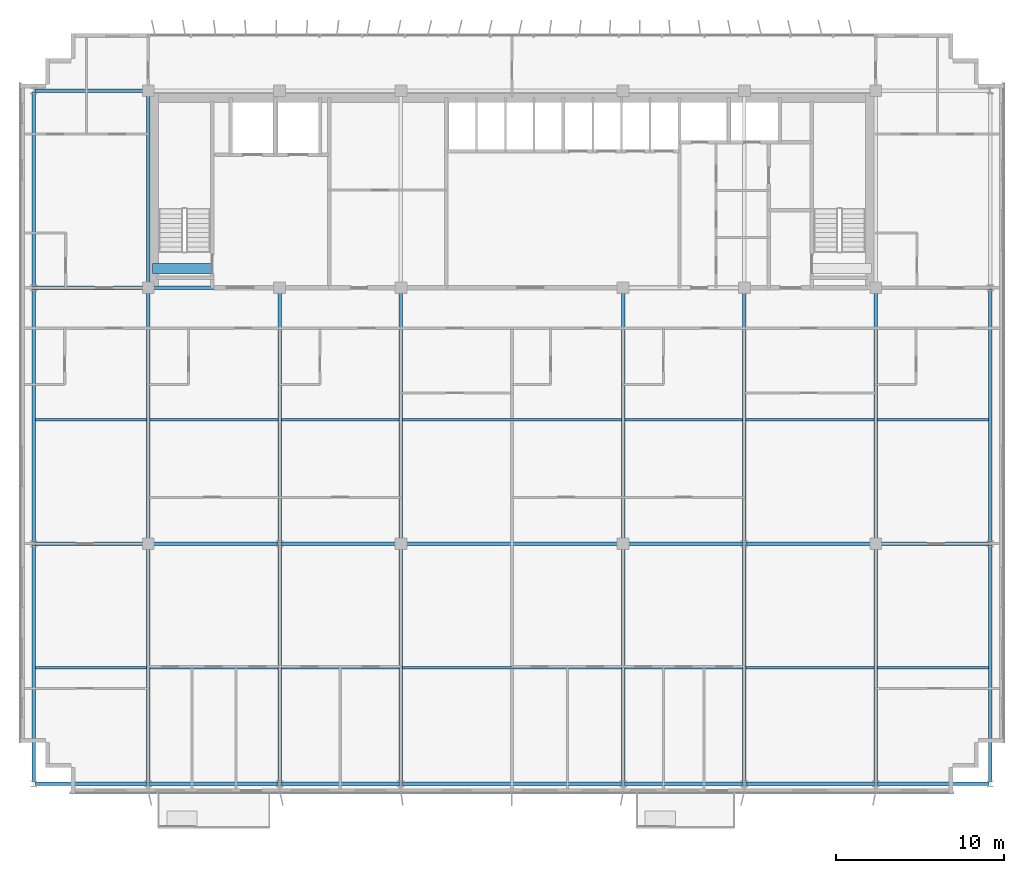
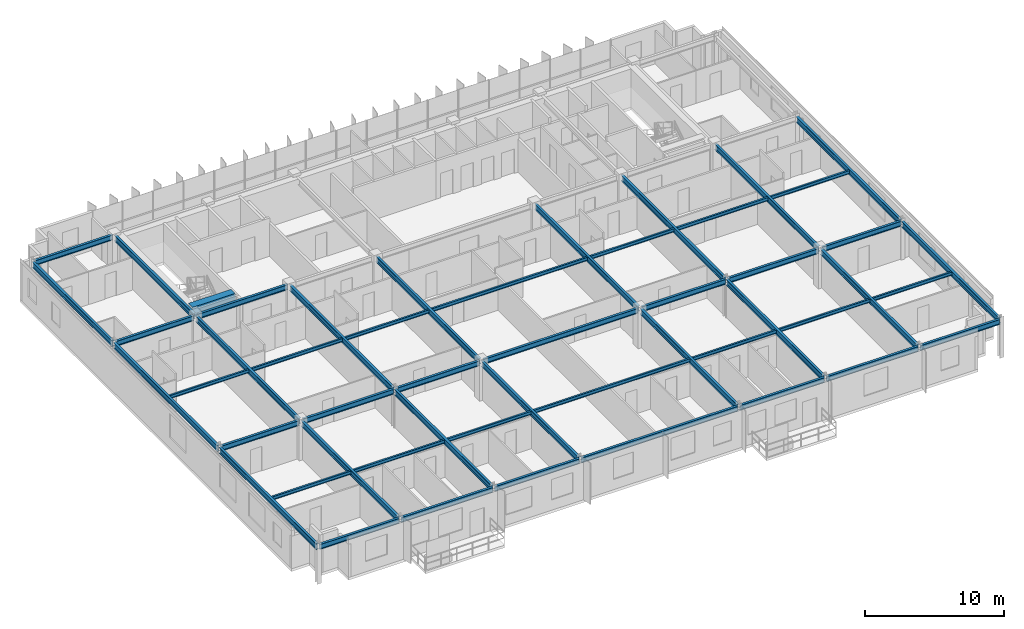
# One storey, part 5 of 23: 50 beams.
"""IFC4 building model written with IfcOpenShell, lengths in metres."""

import ifcopenshell
import ifcopenshell.guid

model = None  # the IFC model being written
_history = None  # IfcOwnerHistory: only IFC2X3 demands one
_inside = {}  # id of a spatial element -> (the spatial element, [elements in it])
_under = {}  # id of a project, library or spatial element -> (it, [spatial elements below it])
_declared = {}  # id of a project -> (the project, [libraries it declares])
_typed = {}  # id of a type object -> (the type object, [elements of that type])
_made_of = {}  # id of a material, layer set ... -> (it, [elements and type objects made of it])


def new_model(schema):
    """Start an empty IFC model of exactly this schema.

    Asked for "IFC4X3", IfcOpenShell would pick the latest addendum, in which some entities
    have other attributes; the version numbers below select the first issue.
    IFC2X3 requires an IfcOwnerHistory on every rooted entity: one is made here for all.
    """
    global model, _history
    if schema == "IFC4X3":
        model = ifcopenshell.file(schema_version=(4, 3, 0, 0))
    else:
        model = ifcopenshell.file(schema=schema)
    _inside.clear()
    _under.clear()
    _declared.clear()
    _typed.clear()
    _made_of.clear()
    _history = None
    if model.schema == "IFC2X3":
        org = make("IfcOrganization", Name="unknown")
        user = make(
            "IfcPersonAndOrganization",
            ThePerson=make("IfcPerson", FamilyName="unknown"),
            TheOrganization=org,
        )
        app = make(
            "IfcApplication",
            ApplicationDeveloper=org,
            Version="unknown",
            ApplicationFullName="unknown",
            ApplicationIdentifier="unknown",
        )
        _history = make(
            "IfcOwnerHistory",
            OwningUser=user,
            OwningApplication=app,
            ChangeAction="ADDED",
            CreationDate=0,
        )
    return model


def make(cls, **values):
    """One entity of the class cls with the attributes given. An attribute that is None is left unset."""
    return model.create_entity(
        cls, **{name: value for name, value in values.items() if value is not None}
    )


def rooted(cls, **values):
    """An entity with a GlobalId (a new one), such as an element, a storey or a relation."""
    return make(cls, GlobalId=ifcopenshell.guid.new(), OwnerHistory=_history, **values)


def si_unit(unit_type, name, prefix=None):
    """IfcSIUnit, for example si_unit("LENGTHUNIT", "METRE", prefix="MILLI")."""
    return make("IfcSIUnit", UnitType=unit_type, Prefix=prefix, Name=name)


def assignment(units):
    """IfcUnitAssignment: the units of a project."""
    return None if units is None else make("IfcUnitAssignment", Units=units)


def point(xyz):
    """IfcCartesianPoint."""
    return None if xyz is None else make("IfcCartesianPoint", Coordinates=xyz)


def direction(xyz):
    """IfcDirection."""
    return None if xyz is None else make("IfcDirection", DirectionRatios=xyz)


def frame(location, z_axis=None, x_axis=None):
    """IfcAxis2Placement3D, a coordinate frame: its origin and axes. An axis left out is left unset."""
    return make(
        "IfcAxis2Placement3D",
        Location=point(location),
        Axis=direction(z_axis),
        RefDirection=direction(x_axis),
    )


def frame_2d(location, x_axis=None):
    """IfcAxis2Placement2D, a coordinate frame in the plane: its origin and x axis."""
    return make(
        "IfcAxis2Placement2D", Location=point(location), RefDirection=direction(x_axis)
    )


def origin():
    """The frame at (0, 0, 0) with its axes left unset."""
    return frame((0.0, 0.0, 0.0))


def origin_2d():
    """The frame at (0, 0) in the plane with its x axis left unset."""
    return frame_2d((0.0, 0.0))


def place(relative_to, where):
    """IfcLocalPlacement: puts the frame where relative to a parent placement (None: the world)."""
    return make(
        "IfcLocalPlacement", PlacementRelTo=relative_to, RelativePlacement=where
    )


def context(
    kind, dimensions, precision=None, world=None, true_north=None, identifier=None
):
    """IfcGeometricRepresentationContext, for example the 3D "Model" context."""
    return make(
        "IfcGeometricRepresentationContext",
        ContextIdentifier=identifier,
        ContextType=kind,
        CoordinateSpaceDimension=dimensions,
        Precision=precision,
        WorldCoordinateSystem=world,
        TrueNorth=true_north,
    )


def subcontext(parent, identifier, kind, view, scale=None):
    """IfcGeometricRepresentationSubContext, for example "Body" below "Model"."""
    return make(
        "IfcGeometricRepresentationSubContext",
        ContextIdentifier=identifier,
        ContextType=kind,
        ParentContext=parent,
        TargetScale=scale,
        TargetView=view,
    )


def project(units=None, contexts=None):
    """IfcProject with its units and contexts."""
    return rooted(
        "IfcProject",
        Name="project",
        RepresentationContexts=contexts,
        UnitsInContext=assignment(units),
    )


def spatial(cls, under=None, at=None, **own):
    """A site, building, storey or space (cls), placed at a placement, below another one or the project."""
    s = rooted(cls, ObjectPlacement=at, **own)
    if under is not None:
        _under.setdefault(under.id(), (under, []))[1].append(s)
    return s


def profile(cls, at=None, kind="AREA", **sizes):
    """A parametric profile (cls). Its sizes go by their IFC names, for example OverallWidth=200.0."""
    return make(cls, ProfileType=kind, Position=at, **sizes)


def rectangle(**sizes):
    """IfcRectangleProfileDef."""
    return profile("IfcRectangleProfileDef", **sizes)


def i_section(**sizes):
    """IfcIShapeProfileDef."""
    return profile("IfcIShapeProfileDef", **sizes)


def extrude(swept, where, along, depth):
    """IfcExtrudedAreaSolid: the profile swept, set in the frame where, extruded along a direction by depth."""
    return make(
        "IfcExtrudedAreaSolid",
        SweptArea=swept,
        Position=where,
        ExtrudedDirection=direction(along),
        Depth=depth,
    )


def shape(context_of_items, identifier, shape_type, items):
    """IfcShapeRepresentation: the items that make up one representation, for example the "Body"."""
    return make(
        "IfcShapeRepresentation",
        ContextOfItems=context_of_items,
        RepresentationIdentifier=identifier,
        RepresentationType=shape_type,
        Items=items,
    )


def source(mapping_origin, context_of_items, identifier, shape_type, items):
    """IfcRepresentationMap: a shape defined once, which mapped items show again and again."""
    return make(
        "IfcRepresentationMap",
        MappingOrigin=mapping_origin,
        MappedRepresentation=shape(context_of_items, identifier, shape_type, items),
    )


def transform(
    local_origin,
    x_axis=None,
    y_axis=None,
    z_axis=None,
    scale=None,
    scale2=None,
    scale3=None,
    uniform=True,
):
    """IfcCartesianTransformationOperator3D, or its non-uniform kind. x_axis, y_axis, z_axis: its Axis1, 2, 3."""
    if uniform:
        return make(
            "IfcCartesianTransformationOperator3D",
            Axis1=direction(x_axis),
            Axis2=direction(y_axis),
            LocalOrigin=point(local_origin),
            Scale=scale,
            Axis3=direction(z_axis),
        )
    return make(
        "IfcCartesianTransformationOperator3DnonUniform",
        Axis1=direction(x_axis),
        Axis2=direction(y_axis),
        LocalOrigin=point(local_origin),
        Scale=scale,
        Axis3=direction(z_axis),
        Scale2=scale2,
        Scale3=scale3,
    )


def mapped(mapping_source, mapping_target):
    """IfcMappedItem: shows the shape of a source again, moved by a transform."""
    return make(
        "IfcMappedItem", MappingSource=mapping_source, MappingTarget=mapping_target
    )


def material(Name=None, Category=None):
    """IfcMaterial."""
    return make("IfcMaterial", Name=Name, Category=Category)


def material_profile(
    of_material, cross_section, Name=None, Category=None, Priority=None
):
    """IfcMaterialProfile: a cross section and its material."""
    return make(
        "IfcMaterialProfile",
        Name=Name,
        Material=of_material,
        Profile=cross_section,
        Priority=Priority,
        Category=Category,
    )


def profile_set(profiles, Name=None, composite=None):
    """IfcMaterialProfileSet."""
    return make(
        "IfcMaterialProfileSet",
        Name=Name,
        MaterialProfiles=profiles,
        CompositeProfile=composite,
    )


def made_of(thing, what):
    """Note that an element or type object is made of a material, layer set ...; save() writes the relation."""
    if what is not None:
        _made_of.setdefault(what.id(), (what, []))[1].append(thing)
    return thing


def type_object(cls, material=None, **own):
    """A type object (cls), such as IfcWallType, which elements share."""
    return made_of(rooted(cls, **own), material)


def element(
    cls,
    number,
    at=None,
    inside=None,
    cuts=None,
    type_object=None,
    material=None,
    context=None,
    identifier="Body",
    shape_type=None,
    held_by="IfcProductDefinitionShape",
    body=None,
    shapes=None,
    **own,
):
    """One element of the class cls, such as IfcWall. Its Tag is "e" and its number.

    at: its placement. inside: the storey or other place that contains it. cuts: it is an
    opening in that element (IfcRelVoidsElement). A single representation is given by context,
    identifier, shape_type and body (its items); several are given by shapes. held_by: the class
    of the entity that holds the representations. save() writes the other relations.
    """
    e = rooted(cls, Tag="e%d" % number, ObjectPlacement=at, **own)
    if body is not None:
        shapes = [shape(context, identifier, shape_type, body)]
    if shapes is not None:
        e.Representation = make(held_by, Representations=shapes)
    if inside is not None:
        _inside.setdefault(inside.id(), (inside, []))[1].append(e)
    if cuts is not None:
        rooted(
            "IfcRelVoidsElement", RelatingBuildingElement=cuts, RelatedOpeningElement=e
        )
    if type_object is not None:
        _typed.setdefault(type_object.id(), (type_object, []))[1].append(e)
    return made_of(e, material)


def aggregate(whole, parts):
    """IfcRelAggregates: a whole, such as a stair, and the parts it consists of."""
    return rooted("IfcRelAggregates", RelatingObject=whole, RelatedObjects=parts)


def save(model, path):
    """Write the relations noted so far, then the file.

    IfcRelAggregates (storeys below a building ...), IfcRelContainedInSpatialStructure (elements
    in a storey), IfcRelDefinesByType, IfcRelAssociatesMaterial and IfcRelDeclares: one each for
    every whole, place, type object, material and project.
    """
    for whole, parts in _under.values():
        aggregate(whole, parts)
    for where, things in _inside.values():
        rooted(
            "IfcRelContainedInSpatialStructure",
            RelatedElements=things,
            RelatingStructure=where,
        )
    for kind, things in _typed.values():
        rooted("IfcRelDefinesByType", RelatedObjects=things, RelatingType=kind)
    for what, things in _made_of.values():
        rooted("IfcRelAssociatesMaterial", RelatedObjects=things, RelatingMaterial=what)
    for by, libraries in _declared.values():
        rooted("IfcRelDeclares", RelatingContext=by, RelatedDefinitions=libraries)
    model.write(path)


model = new_model("IFC4")

# Units and contexts
model_context = context("Model", 3, precision=1e-05, world=origin(), true_north=direction((0.0, 1.0)))
body_context = subcontext(model_context, "Body", "Model", "MODEL_VIEW")
ifc_project = project(units=[si_unit("LENGTHUNIT", "METRE"), si_unit("AREAUNIT", "SQUARE_METRE"), si_unit("VOLUMEUNIT", "CUBIC_METRE"), si_unit("PLANEANGLEUNIT", "RADIAN"), si_unit("MASSUNIT", "GRAM", prefix="KILO")], contexts=[model_context])

# Site, building, storey
site_placement = place(None, origin())
site = spatial("IfcSite", under=ifc_project, at=site_placement, CompositionType="ELEMENT")
building_placement = place(site_placement, origin())
building = spatial("IfcBuilding", under=site, at=building_placement, Name="Trelvane Seafront Commons", CompositionType="ELEMENT")
storey_placement = place(building_placement, frame((0.0, 0.0, 219.300048828125)))
storey = spatial("IfcBuildingStorey", under=building, at=storey_placement, Name="L57", CompositionType="ELEMENT", Elevation=219.300048828125)

# Beams
ifc_material_1 = material(Name="Concrete C60/75", Category="concrete")
ifc_material_profile_1 = material_profile(ifc_material_1, rectangle(XDim=0.60009765625, YDim=0.89990234375, at=origin_2d()), Name="RC-600x900")
ifc_profile_set_1 = profile_set([ifc_material_profile_1], Name="Concrete C60/75")
beam_type_1 = type_object("IfcBeamType", Name="STR-LNT-RC600x900", PredefinedType="LINTEL", material=ifc_profile_set_1)
shared_shape_1 = source(origin(), body_context, "Body", "SweptSolid", [
    extrude(rectangle(XDim=0.60009765625, YDim=0.89990234375, at=origin_2d()), origin(), (0.0, 0.0, 1.0), 3.5498046875),
])
beam_1_placement = place(storey_placement, frame((15.85009765625, 34.550048828125, 2.909912109375), z_axis=(1.0, 0.0, 0.0), x_axis=(0.0, 1.0, 0.0)))
element("IfcBeam", 1, at=beam_1_placement, inside=storey, type_object=beam_type_1, Name="L57 Core Coupling Lintel Beam CB-67", PredefinedType="LINTEL", context=body_context, shape_type="MappedRepresentation", body=[
    mapped(shared_shape_1, transform((0.0, 0.0, 0.0), x_axis=(1.0, 0.0, 0.0), y_axis=(0.0, 1.0, 0.0), z_axis=(0.0, 0.0, 1.0), scale=1.0)),
])
ifc_material_2 = material(Name="Steel SM355 (S355)", Category="steel")
ifc_material_profile_2 = material_profile(ifc_material_2, i_section(OverallWidth=0.199951171875, OverallDepth=0.5, WebThickness=0.010009765625, FlangeThickness=0.01611328125, at=origin_2d()), Name="H-500x200x10x16")
ifc_profile_set_2 = profile_set([ifc_material_profile_2], Name="Steel SM355 (S355)")
beam_type_2 = type_object("IfcBeamType", Name="STR-BM-H500", PredefinedType="BEAM", material=ifc_profile_set_2)
shared_shape_2 = source(origin(), body_context, "Body", "SweptSolid", [
    extrude(i_section(OverallWidth=0.199951171875, OverallDepth=0.5, WebThickness=0.010009765625, FlangeThickness=0.01611328125, at=origin_2d()), origin(), (0.0, 0.0, 1.0), 14.89990234375),
])
for number, where, z_axis, x_axis, name in (
    (2, (15.60009765625, 18.35009765625, 3.10986328125), (0.0, 1.0, 0.0), (-1.0, 0.0, 0.0), "L57 Primary Girder G-33"),
    (3, (30.60009765625, 18.35009765625, 3.10986328125), (0.0, 1.0, 0.0), (-1.0, 0.0, 0.0), "L57 Primary Girder G-39"),
    (4, (43.800048828125, 18.35009765625, 3.10986328125), (0.0, 1.0, 0.0), (-1.0, 0.0, 0.0), "L57 Primary Girder G-42"),
    (5, (58.800048828125, 18.35009765625, 3.10986328125), (0.0, 1.0, 0.0), (-1.0, 0.0, 0.0), "L57 Primary Girder G-48"),
):
    element("IfcBeam", number, at=place(storey_placement, frame(where, z_axis=z_axis, x_axis=x_axis)), inside=storey, type_object=beam_type_2, Name=name, PredefinedType="BEAM", context=body_context, shape_type="MappedRepresentation", body=[
        mapped(shared_shape_2, transform((0.0, 0.0, 0.0), x_axis=(1.0, 0.0, 0.0), y_axis=(0.0, 1.0, 0.0), z_axis=(0.0, 0.0, 1.0), scale=1.0)),
    ])
shared_shape_3 = source(origin(), body_context, "Body", "SweptSolid", [
    extrude(i_section(OverallWidth=0.199951171875, OverallDepth=0.5, WebThickness=0.010009765625, FlangeThickness=0.01611328125, at=origin_2d()), origin(), (0.0, 0.0, 1.0), 11.39990234375),
])
beam_2_placement = place(storey_placement, frame((15.60009765625, 33.550048828125, 3.10986328125), z_axis=(0.0, 1.0, 0.0), x_axis=(-1.0, 0.0, 0.0)))
element("IfcBeam", 6, at=beam_2_placement, inside=storey, type_object=beam_type_2, Name="L57 Primary Girder G-34", PredefinedType="BEAM", context=body_context, shape_type="MappedRepresentation", body=[
    mapped(shared_shape_3, transform((0.0, 0.0, 0.0), x_axis=(1.0, 0.0, 0.0), y_axis=(0.0, 1.0, 0.0), z_axis=(0.0, 0.0, 1.0), scale=1.0)),
])
ifc_material_profile_3 = material_profile(ifc_material_2, i_section(OverallWidth=0.199951171875, OverallDepth=0.449951171875, WebThickness=0.009033203125, FlangeThickness=0.013916015625, at=origin_2d()), Name="H-450x200x9x14")
ifc_profile_set_3 = profile_set([ifc_material_profile_3], Name="Steel SM355 (S355)")
beam_type_3 = type_object("IfcBeamType", Name="STR-SPD-H450", PredefinedType="SPANDREL", material=ifc_profile_set_3)
shared_shape_4 = source(origin(), body_context, "Body", "SweptSolid", [
    extrude(i_section(OverallWidth=0.199951171875, OverallDepth=0.449951171875, WebThickness=0.009033203125, FlangeThickness=0.013916015625, at=origin_2d()), origin(), (0.0, 0.0, 1.0), 6.625),
])
for number, where, z_axis, x_axis, name in (
    (7, (8.887451171875, 3.949951171875, 3.135009765625), (1.0, 0.0, 0.0), (0.0, 1.0, 0.0), "L57 Primary Girder G-01"),
    (8, (58.887451171875, 3.949951171875, 3.135009765625), (1.0, 0.0, 0.0), (0.0, 1.0, 0.0), "L57 Primary Girder G-07"),
):
    element("IfcBeam", number, at=place(storey_placement, frame(where, z_axis=z_axis, x_axis=x_axis)), inside=storey, type_object=beam_type_3, Name=name, PredefinedType="SPANDREL", context=body_context, shape_type="MappedRepresentation", body=[
        mapped(shared_shape_4, transform((0.0, 0.0, 0.0), x_axis=(1.0, 0.0, 0.0), y_axis=(0.0, 1.0, 0.0), z_axis=(0.0, 0.0, 1.0), scale=1.0)),
    ])
shared_shape_5 = source(origin(), body_context, "Body", "SweptSolid", [
    extrude(i_section(OverallWidth=0.199951171875, OverallDepth=0.449951171875, WebThickness=0.009033203125, FlangeThickness=0.013916015625, at=origin_2d()), origin(), (0.0, 0.0, 1.0), 7.625),
])
for number, where, z_axis, x_axis, name in (
    (9, (15.6875, 3.949951171875, 3.135009765625), (1.0, 0.0, 0.0), (0.0, 1.0, 0.0), "L57 Primary Girder G-02"),
    (10, (51.08740234375, 3.949951171875, 3.135009765625), (1.0, 0.0, 0.0), (0.0, 1.0, 0.0), "L57 Primary Girder G-06"),
):
    element("IfcBeam", number, at=place(storey_placement, frame(where, z_axis=z_axis, x_axis=x_axis)), inside=storey, type_object=beam_type_3, Name=name, PredefinedType="SPANDREL", context=body_context, shape_type="MappedRepresentation", body=[
        mapped(shared_shape_5, transform((0.0, 0.0, 0.0), x_axis=(1.0, 0.0, 0.0), y_axis=(0.0, 1.0, 0.0), z_axis=(0.0, 0.0, 1.0), scale=1.0)),
    ])
shared_shape_6 = source(origin(), body_context, "Body", "SweptSolid", [
    extrude(i_section(OverallWidth=0.199951171875, OverallDepth=0.449951171875, WebThickness=0.009033203125, FlangeThickness=0.013916015625, at=origin_2d()), origin(), (0.0, 0.0, 1.0), 7.02490234375),
])
beam_3_placement = place(storey_placement, frame((23.487548828125, 3.949951171875, 3.135009765625), z_axis=(1.0, 0.0, 0.0), x_axis=(0.0, 1.0, 0.0)))
element("IfcBeam", 11, at=beam_3_placement, inside=storey, type_object=beam_type_3, Name="L57 Primary Girder G-03", PredefinedType="SPANDREL", context=body_context, shape_type="MappedRepresentation", body=[
    mapped(shared_shape_6, transform((0.0, 0.0, 0.0), x_axis=(1.0, 0.0, 0.0), y_axis=(0.0, 1.0, 0.0), z_axis=(0.0, 0.0, 1.0), scale=1.0)),
])
shared_shape_7 = source(origin(), body_context, "Body", "SweptSolid", [
    extrude(i_section(OverallWidth=0.199951171875, OverallDepth=0.449951171875, WebThickness=0.009033203125, FlangeThickness=0.013916015625, at=origin_2d()), origin(), (0.0, 0.0, 1.0), 7.025146484375),
])
beam_4_placement = place(storey_placement, frame((43.887451171875, 3.949951171875, 3.135009765625), z_axis=(1.0, 0.0, 0.0), x_axis=(0.0, 1.0, 0.0)))
element("IfcBeam", 12, at=beam_4_placement, inside=storey, type_object=beam_type_3, Name="L57 Primary Girder G-05", PredefinedType="SPANDREL", context=body_context, shape_type="MappedRepresentation", body=[
    mapped(shared_shape_7, transform((0.0, 0.0, 0.0), x_axis=(1.0, 0.0, 0.0), y_axis=(0.0, 1.0, 0.0), z_axis=(0.0, 0.0, 1.0), scale=1.0)),
])
shared_shape_8 = source(origin(), body_context, "Body", "SweptSolid", [
    extrude(i_section(OverallWidth=0.199951171875, OverallDepth=0.449951171875, WebThickness=0.009033203125, FlangeThickness=0.013916015625, at=origin_2d()), origin(), (0.0, 0.0, 1.0), 6.5625),
])
for number, where, z_axis, x_axis, name in (
    (13, (8.887451171875, 18.199951171875, 3.135009765625), (1.0, 0.0, 0.0), (0.0, 1.0, 0.0), "L57 Primary Girder G-08"),
    (14, (58.949951171875, 18.199951171875, 3.135009765625), (1.0, 0.0, 0.0), (0.0, 1.0, 0.0), "L57 Primary Girder G-14"),
    (15, (8.887451171875, 33.39990234375, 3.135009765625), (1.0, 0.0, 0.0), (0.0, 1.0, 0.0), "L57 Primary Girder G-15"),
    (16, (8.887451171875, 45.10009765625, 3.135009765625), (1.0, 0.0, 0.0), (0.0, 1.0, 0.0), "L57 Primary Girder G-22"),
):
    element("IfcBeam", number, at=place(storey_placement, frame(where, z_axis=z_axis, x_axis=x_axis)), inside=storey, type_object=beam_type_3, Name=name, PredefinedType="SPANDREL", context=body_context, shape_type="MappedRepresentation", body=[
        mapped(shared_shape_8, transform((0.0, 0.0, 0.0), x_axis=(1.0, 0.0, 0.0), y_axis=(0.0, 1.0, 0.0), z_axis=(0.0, 0.0, 1.0), scale=1.0)),
    ])
shared_shape_9 = source(origin(), body_context, "Body", "SweptSolid", [
    extrude(i_section(OverallWidth=0.199951171875, OverallDepth=0.449951171875, WebThickness=0.009033203125, FlangeThickness=0.013916015625, at=origin_2d()), origin(), (0.0, 0.0, 1.0), 7.5625),
])
for number, where, z_axis, x_axis, name in (
    (17, (15.75, 18.199951171875, 3.135009765625), (1.0, 0.0, 0.0), (0.0, 1.0, 0.0), "L57 Primary Girder G-09"),
    (18, (51.08740234375, 18.199951171875, 3.135009765625), (1.0, 0.0, 0.0), (0.0, 1.0, 0.0), "L57 Primary Girder G-13"),
):
    element("IfcBeam", number, at=place(storey_placement, frame(where, z_axis=z_axis, x_axis=x_axis)), inside=storey, type_object=beam_type_3, Name=name, PredefinedType="SPANDREL", context=body_context, shape_type="MappedRepresentation", body=[
        mapped(shared_shape_9, transform((0.0, 0.0, 0.0), x_axis=(1.0, 0.0, 0.0), y_axis=(0.0, 1.0, 0.0), z_axis=(0.0, 0.0, 1.0), scale=1.0)),
    ])
shared_shape_10 = source(origin(), body_context, "Body", "SweptSolid", [
    extrude(i_section(OverallWidth=0.199951171875, OverallDepth=0.449951171875, WebThickness=0.009033203125, FlangeThickness=0.013916015625, at=origin_2d()), origin(), (0.0, 0.0, 1.0), 6.96240234375),
])
beam_5_placement = place(storey_placement, frame((23.487548828125, 18.199951171875, 3.135009765625), z_axis=(1.0, 0.0, 0.0), x_axis=(0.0, 1.0, 0.0)))
element("IfcBeam", 19, at=beam_5_placement, inside=storey, type_object=beam_type_3, Name="L57 Primary Girder G-10", PredefinedType="SPANDREL", context=body_context, shape_type="MappedRepresentation", body=[
    mapped(shared_shape_10, transform((0.0, 0.0, 0.0), x_axis=(1.0, 0.0, 0.0), y_axis=(0.0, 1.0, 0.0), z_axis=(0.0, 0.0, 1.0), scale=1.0)),
])
shared_shape_11 = source(origin(), body_context, "Body", "SweptSolid", [
    extrude(i_section(OverallWidth=0.199951171875, OverallDepth=0.449951171875, WebThickness=0.009033203125, FlangeThickness=0.013916015625, at=origin_2d()), origin(), (0.0, 0.0, 1.0), 6.962646484375),
])
beam_6_placement = place(storey_placement, frame((43.949951171875, 18.199951171875, 3.135009765625), z_axis=(1.0, 0.0, 0.0), x_axis=(0.0, 1.0, 0.0)))
element("IfcBeam", 20, at=beam_6_placement, inside=storey, type_object=beam_type_3, Name="L57 Primary Girder G-12", PredefinedType="SPANDREL", context=body_context, shape_type="MappedRepresentation", body=[
    mapped(shared_shape_11, transform((0.0, 0.0, 0.0), x_axis=(1.0, 0.0, 0.0), y_axis=(0.0, 1.0, 0.0), z_axis=(0.0, 0.0, 1.0), scale=1.0)),
])
shared_shape_12 = source(origin(), body_context, "Body", "SweptSolid", [
    extrude(i_section(OverallWidth=0.199951171875, OverallDepth=0.449951171875, WebThickness=0.009033203125, FlangeThickness=0.013916015625, at=origin_2d()), origin(), (0.0, 0.0, 1.0), 7.5),
])
beam_7_placement = place(storey_placement, frame((15.75, 33.39990234375, 3.135009765625), z_axis=(1.0, 0.0, 0.0), x_axis=(0.0, 1.0, 0.0)))
element("IfcBeam", 21, at=beam_7_placement, inside=storey, type_object=beam_type_3, Name="L57 Primary Girder G-16", PredefinedType="SPANDREL", context=body_context, shape_type="MappedRepresentation", body=[
    mapped(shared_shape_12, transform((0.0, 0.0, 0.0), x_axis=(1.0, 0.0, 0.0), y_axis=(0.0, 1.0, 0.0), z_axis=(0.0, 0.0, 1.0), scale=1.0)),
])
shared_shape_13 = source(origin(), body_context, "Body", "SweptSolid", [
    extrude(i_section(OverallWidth=0.199951171875, OverallDepth=0.449951171875, WebThickness=0.009033203125, FlangeThickness=0.013916015625, at=origin_2d()), origin(), (0.0, 0.0, 1.0), 12.89990234375),
])
beam_8_placement = place(storey_placement, frame((30.75, 18.199951171875, 3.135009765625), z_axis=(1.0, 0.0, 0.0), x_axis=(0.0, 1.0, 0.0)))
element("IfcBeam", 22, at=beam_8_placement, inside=storey, type_object=beam_type_3, Name="L57 Primary Girder G-11", PredefinedType="SPANDREL", context=body_context, shape_type="MappedRepresentation", body=[
    mapped(shared_shape_13, transform((0.0, 0.0, 0.0), x_axis=(1.0, 0.0, 0.0), y_axis=(0.0, 1.0, 0.0), z_axis=(0.0, 0.0, 1.0), scale=1.0)),
])
shared_shape_14 = source(origin(), body_context, "Body", "SweptSolid", [
    extrude(i_section(OverallWidth=0.199951171875, OverallDepth=0.5, WebThickness=0.010009765625, FlangeThickness=0.01611328125, at=origin_2d()), origin(), (0.0, 0.0, 1.0), 14.074951171875),
])
for number, where, z_axis, x_axis, name in (
    (23, (8.800048828125, 4.03759765625, 3.10986328125), (0.0, 1.0, 0.0), (-1.0, 0.0, 0.0), "L57 Primary Girder G-29"),
    (24, (23.39990234375, 4.03759765625, 3.10986328125), (0.0, 1.0, 0.0), (-1.0, 0.0, 0.0), "L57 Primary Girder G-35"),
    (25, (51.0, 4.03759765625, 3.10986328125), (0.0, 1.0, 0.0), (-1.0, 0.0, 0.0), "L57 Primary Girder G-44"),
    (26, (65.60009765625, 4.03759765625, 3.10986328125), (0.0, 1.0, 0.0), (-1.0, 0.0, 0.0), "L57 Primary Girder G-50"),
):
    element("IfcBeam", number, at=place(storey_placement, frame(where, z_axis=z_axis, x_axis=x_axis)), inside=storey, type_object=beam_type_2, Name=name, PredefinedType="BEAM", context=body_context, shape_type="MappedRepresentation", body=[
        mapped(shared_shape_14, transform((0.0, 0.0, 0.0), x_axis=(1.0, 0.0, 0.0), y_axis=(0.0, 1.0, 0.0), z_axis=(0.0, 0.0, 1.0), scale=1.0)),
    ])
shared_shape_15 = source(origin(), body_context, "Body", "SweptSolid", [
    extrude(i_section(OverallWidth=0.199951171875, OverallDepth=0.5, WebThickness=0.010009765625, FlangeThickness=0.01611328125, at=origin_2d()), origin(), (0.0, 0.0, 1.0), 15.02490234375),
])
for number, where, z_axis, x_axis, name in (
    (27, (8.800048828125, 18.28759765625, 3.10986328125), (0.0, 1.0, 0.0), (-1.0, 0.0, 0.0), "L57 Primary Girder G-30"),
    (28, (65.60009765625, 18.28759765625, 3.10986328125), (0.0, 1.0, 0.0), (-1.0, 0.0, 0.0), "L57 Primary Girder G-51"),
):
    element("IfcBeam", number, at=place(storey_placement, frame(where, z_axis=z_axis, x_axis=x_axis)), inside=storey, type_object=beam_type_2, Name=name, PredefinedType="BEAM", context=body_context, shape_type="MappedRepresentation", body=[
        mapped(shared_shape_15, transform((0.0, 0.0, 0.0), x_axis=(1.0, 0.0, 0.0), y_axis=(0.0, 1.0, 0.0), z_axis=(0.0, 0.0, 1.0), scale=1.0)),
    ])
shared_shape_16 = source(origin(), body_context, "Body", "SweptSolid", [
    extrude(i_section(OverallWidth=0.199951171875, OverallDepth=0.5, WebThickness=0.010009765625, FlangeThickness=0.01611328125, at=origin_2d()), origin(), (0.0, 0.0, 1.0), 11.52490234375),
])
beam_9_placement = place(storey_placement, frame((8.800048828125, 33.487548828125, 3.10986328125), z_axis=(0.0, 1.0, 0.0), x_axis=(-1.0, 0.0, 0.0)))
element("IfcBeam", 29, at=beam_9_placement, inside=storey, type_object=beam_type_2, Name="L57 Primary Girder G-31", PredefinedType="BEAM", context=body_context, shape_type="MappedRepresentation", body=[
    mapped(shared_shape_16, transform((0.0, 0.0, 0.0), x_axis=(1.0, 0.0, 0.0), y_axis=(0.0, 1.0, 0.0), z_axis=(0.0, 0.0, 1.0), scale=1.0)),
])
shared_shape_17 = source(origin(), body_context, "Body", "SweptSolid", [
    extrude(i_section(OverallWidth=0.199951171875, OverallDepth=0.5, WebThickness=0.010009765625, FlangeThickness=0.01611328125, at=origin_2d()), origin(), (0.0, 0.0, 1.0), 14.012451171875),
])
for number, where, z_axis, x_axis, name in (
    (30, (15.60009765625, 4.03759765625, 3.10986328125), (0.0, 1.0, 0.0), (-1.0, 0.0, 0.0), "L57 Primary Girder G-32"),
    (31, (30.60009765625, 4.03759765625, 3.10986328125), (0.0, 1.0, 0.0), (-1.0, 0.0, 0.0), "L57 Primary Girder G-38"),
    (32, (43.800048828125, 4.03759765625, 3.10986328125), (0.0, 1.0, 0.0), (-1.0, 0.0, 0.0), "L57 Primary Girder G-41"),
    (33, (58.800048828125, 4.03759765625, 3.10986328125), (0.0, 1.0, 0.0), (-1.0, 0.0, 0.0), "L57 Primary Girder G-47"),
):
    element("IfcBeam", number, at=place(storey_placement, frame(where, z_axis=z_axis, x_axis=x_axis)), inside=storey, type_object=beam_type_2, Name=name, PredefinedType="BEAM", context=body_context, shape_type="MappedRepresentation", body=[
        mapped(shared_shape_17, transform((0.0, 0.0, 0.0), x_axis=(1.0, 0.0, 0.0), y_axis=(0.0, 1.0, 0.0), z_axis=(0.0, 0.0, 1.0), scale=1.0)),
    ])
shared_shape_18 = source(origin(), body_context, "Body", "SweptSolid", [
    extrude(i_section(OverallWidth=0.199951171875, OverallDepth=0.5, WebThickness=0.010009765625, FlangeThickness=0.01611328125, at=origin_2d()), origin(), (0.0, 0.0, 1.0), 14.96240234375),
])
for number, where, z_axis, x_axis, name in (
    (34, (23.39990234375, 18.28759765625, 3.10986328125), (0.0, 1.0, 0.0), (-1.0, 0.0, 0.0), "L57 Primary Girder G-36"),
    (35, (51.0, 18.28759765625, 3.10986328125), (0.0, 1.0, 0.0), (-1.0, 0.0, 0.0), "L57 Primary Girder G-45"),
):
    element("IfcBeam", number, at=place(storey_placement, frame(where, z_axis=z_axis, x_axis=x_axis)), inside=storey, type_object=beam_type_2, Name=name, PredefinedType="BEAM", context=body_context, shape_type="MappedRepresentation", body=[
        mapped(shared_shape_18, transform((0.0, 0.0, 0.0), x_axis=(1.0, 0.0, 0.0), y_axis=(0.0, 1.0, 0.0), z_axis=(0.0, 0.0, 1.0), scale=1.0)),
    ])
ifc_material_profile_4 = material_profile(ifc_material_2, i_section(OverallWidth=0.14990234375, OverallDepth=0.300048828125, WebThickness=0.006591796875, FlangeThickness=0.009033203125, at=origin_2d()), Name="H-300x150x6.5x9")
ifc_profile_set_4 = profile_set([ifc_material_profile_4], Name="Steel SM355 (S355)")
beam_type_4 = type_object("IfcBeamType", Name="STR-JST-H300", PredefinedType="JOIST", material=ifc_profile_set_4)
shared_shape_19 = source(origin(), body_context, "Body", "SweptSolid", [
    extrude(i_section(OverallWidth=0.14990234375, OverallDepth=0.300048828125, WebThickness=0.006591796875, FlangeThickness=0.009033203125, at=origin_2d()), origin(), (0.0, 0.0, 1.0), 6.60009765625),
])
for number, where, z_axis, x_axis, name in (
    (36, (8.89990234375, 10.824951171875, 3.2099609375), (1.0, 0.0, 0.0), (0.0, 1.0, 0.0), "L57 Secondary Floor Joist B-53"),
    (37, (58.89990234375, 10.824951171875, 3.2099609375), (1.0, 0.0, 0.0), (0.0, 1.0, 0.0), "L57 Secondary Floor Joist B-59"),
    (38, (8.89990234375, 25.550048828125, 3.2099609375), (1.0, 0.0, 0.0), (0.0, 1.0, 0.0), "L57 Secondary Floor Joist B-60"),
    (39, (58.89990234375, 25.550048828125, 3.2099609375), (1.0, 0.0, 0.0), (0.0, 1.0, 0.0), "L57 Secondary Floor Joist B-66"),
):
    element("IfcBeam", number, at=place(storey_placement, frame(where, z_axis=z_axis, x_axis=x_axis)), inside=storey, type_object=beam_type_4, Name=name, PredefinedType="JOIST", context=body_context, shape_type="MappedRepresentation", body=[
        mapped(shared_shape_19, transform((0.0, 0.0, 0.0), x_axis=(1.0, 0.0, 0.0), y_axis=(0.0, 1.0, 0.0), z_axis=(0.0, 0.0, 1.0), scale=1.0)),
    ])
shared_shape_20 = source(origin(), body_context, "Body", "SweptSolid", [
    extrude(i_section(OverallWidth=0.14990234375, OverallDepth=0.300048828125, WebThickness=0.006591796875, FlangeThickness=0.009033203125, at=origin_2d()), origin(), (0.0, 0.0, 1.0), 7.60009765625),
])
for number, where, z_axis, x_axis, name in (
    (40, (15.699951171875, 10.824951171875, 3.2099609375), (1.0, 0.0, 0.0), (0.0, 1.0, 0.0), "L57 Secondary Floor Joist B-54"),
    (41, (15.699951171875, 25.550048828125, 3.2099609375), (1.0, 0.0, 0.0), (0.0, 1.0, 0.0), "L57 Secondary Floor Joist B-61"),
):
    element("IfcBeam", number, at=place(storey_placement, frame(where, z_axis=z_axis, x_axis=x_axis)), inside=storey, type_object=beam_type_4, Name=name, PredefinedType="JOIST", context=body_context, shape_type="MappedRepresentation", body=[
        mapped(shared_shape_20, transform((0.0, 0.0, 0.0), x_axis=(1.0, 0.0, 0.0), y_axis=(0.0, 1.0, 0.0), z_axis=(0.0, 0.0, 1.0), scale=1.0)),
    ])
shared_shape_21 = source(origin(), body_context, "Body", "SweptSolid", [
    extrude(i_section(OverallWidth=0.14990234375, OverallDepth=0.300048828125, WebThickness=0.006591796875, FlangeThickness=0.009033203125, at=origin_2d()), origin(), (0.0, 0.0, 1.0), 7.0),
])
for number, where, z_axis, x_axis, name in (
    (42, (23.5, 10.824951171875, 3.2099609375), (1.0, 0.0, 0.0), (0.0, 1.0, 0.0), "L57 Secondary Floor Joist B-55"),
    (43, (43.89990234375, 10.824951171875, 3.2099609375), (1.0, 0.0, 0.0), (0.0, 1.0, 0.0), "L57 Secondary Floor Joist B-57"),
    (44, (23.5, 25.550048828125, 3.2099609375), (1.0, 0.0, 0.0), (0.0, 1.0, 0.0), "L57 Secondary Floor Joist B-62"),
    (45, (43.89990234375, 25.550048828125, 3.2099609375), (1.0, 0.0, 0.0), (0.0, 1.0, 0.0), "L57 Secondary Floor Joist B-64"),
):
    element("IfcBeam", number, at=place(storey_placement, frame(where, z_axis=z_axis, x_axis=x_axis)), inside=storey, type_object=beam_type_4, Name=name, PredefinedType="JOIST", context=body_context, shape_type="MappedRepresentation", body=[
        mapped(shared_shape_21, transform((0.0, 0.0, 0.0), x_axis=(1.0, 0.0, 0.0), y_axis=(0.0, 1.0, 0.0), z_axis=(0.0, 0.0, 1.0), scale=1.0)),
    ])
shared_shape_22 = source(origin(), body_context, "Body", "SweptSolid", [
    extrude(i_section(OverallWidth=0.14990234375, OverallDepth=0.300048828125, WebThickness=0.006591796875, FlangeThickness=0.009033203125, at=origin_2d()), origin(), (0.0, 0.0, 1.0), 7.599853515625),
])
for number, where, z_axis, x_axis, name in (
    (46, (51.10009765625, 10.824951171875, 3.2099609375), (1.0, 0.0, 0.0), (0.0, 1.0, 0.0), "L57 Secondary Floor Joist B-58"),
    (47, (51.10009765625, 25.550048828125, 3.2099609375), (1.0, 0.0, 0.0), (0.0, 1.0, 0.0), "L57 Secondary Floor Joist B-65"),
):
    element("IfcBeam", number, at=place(storey_placement, frame(where, z_axis=z_axis, x_axis=x_axis)), inside=storey, type_object=beam_type_4, Name=name, PredefinedType="JOIST", context=body_context, shape_type="MappedRepresentation", body=[
        mapped(shared_shape_22, transform((0.0, 0.0, 0.0), x_axis=(1.0, 0.0, 0.0), y_axis=(0.0, 1.0, 0.0), z_axis=(0.0, 0.0, 1.0), scale=1.0)),
    ])
shared_shape_23 = source(origin(), body_context, "Body", "SweptSolid", [
    extrude(i_section(OverallWidth=0.14990234375, OverallDepth=0.300048828125, WebThickness=0.006591796875, FlangeThickness=0.009033203125, at=origin_2d()), origin(), (0.0, 0.0, 1.0), 13.0),
])
for number, where, z_axis, x_axis, name in (
    (48, (30.699951171875, 10.824951171875, 3.2099609375), (1.0, 0.0, 0.0), (0.0, 1.0, 0.0), "L57 Secondary Floor Joist B-56"),
    (49, (30.699951171875, 25.550048828125, 3.2099609375), (1.0, 0.0, 0.0), (0.0, 1.0, 0.0), "L57 Secondary Floor Joist B-63"),
):
    element("IfcBeam", number, at=place(storey_placement, frame(where, z_axis=z_axis, x_axis=x_axis)), inside=storey, type_object=beam_type_4, Name=name, PredefinedType="JOIST", context=body_context, shape_type="MappedRepresentation", body=[
        mapped(shared_shape_23, transform((0.0, 0.0, 0.0), x_axis=(1.0, 0.0, 0.0), y_axis=(0.0, 1.0, 0.0), z_axis=(0.0, 0.0, 1.0), scale=1.0)),
    ])
shared_shape_24 = source(origin(), body_context, "Body", "SweptSolid", [
    extrude(i_section(OverallWidth=0.199951171875, OverallDepth=0.449951171875, WebThickness=0.009033203125, FlangeThickness=0.013916015625, at=origin_2d()), origin(), (0.0, 0.0, 1.0), 13.02490234375),
])
beam_10_placement = place(storey_placement, frame((30.6875, 3.949951171875, 3.135009765625), z_axis=(1.0, 0.0, 0.0), x_axis=(0.0, 1.0, 0.0)))
element("IfcBeam", 50, at=beam_10_placement, inside=storey, type_object=beam_type_3, Name="L57 Primary Girder G-04", PredefinedType="SPANDREL", context=body_context, shape_type="MappedRepresentation", body=[
    mapped(shared_shape_24, transform((0.0, 0.0, 0.0), x_axis=(1.0, 0.0, 0.0), y_axis=(0.0, 1.0, 0.0), z_axis=(0.0, 0.0, 1.0), scale=1.0)),
])

save(model, "model.ifc")
